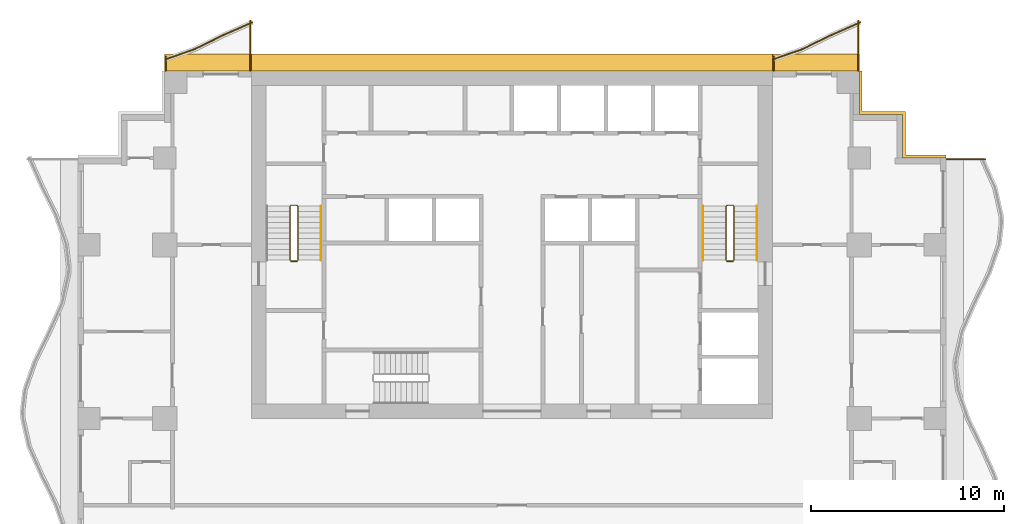
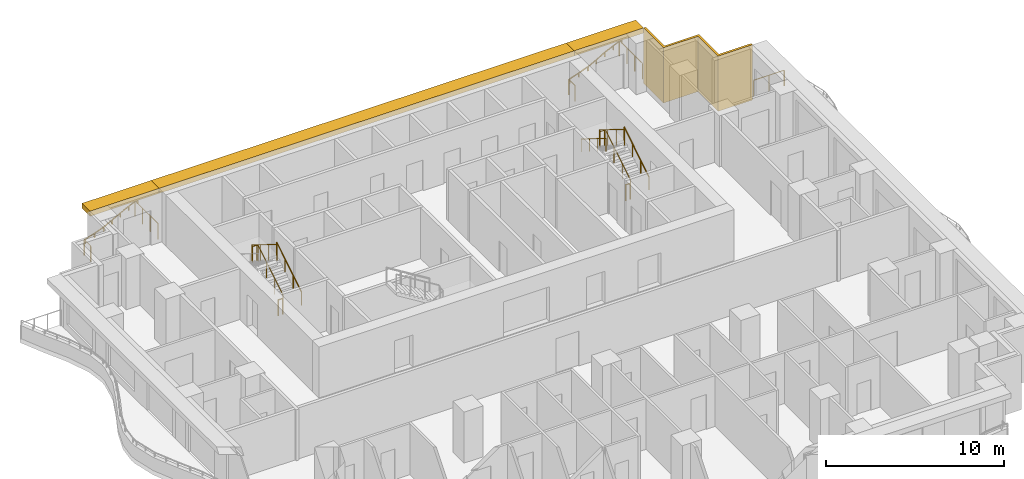
# One storey, part 10 of 10: 14 railings, 4 shading devices.
"""IFC4 building model written with IfcOpenShell, lengths in metres."""

from ifc_helpers import new_model, si_unit, direction, frame, origin, origin_2d, place, context, subcontext, project, spatial, polyline, rectangle, circle, outline, extrude, material, layer, layer_set, type_object, element, save


model = new_model("IFC4")

# Units and contexts
model_context = context("Model", 3, precision=1e-05, world=origin(), true_north=direction((0.0, 1.0)))
body_context = subcontext(model_context, "Body", "Model", "MODEL_VIEW")
ifc_project = project(units=[si_unit("LENGTHUNIT", "METRE"), si_unit("AREAUNIT", "SQUARE_METRE"), si_unit("VOLUMEUNIT", "CUBIC_METRE"), si_unit("PLANEANGLEUNIT", "RADIAN"), si_unit("MASSUNIT", "GRAM", prefix="KILO")], contexts=[model_context])

# Site, building, storey
site_placement = place(None, origin())
site = spatial("IfcSite", under=ifc_project, at=site_placement, CompositionType="ELEMENT")
building_placement = place(site_placement, origin())
building = spatial("IfcBuilding", under=site, at=building_placement, Name="Orbiselva Terraces", CompositionType="ELEMENT")
storey_placement = place(building_placement, frame((0.0, 0.0, 155.4)))
storey = spatial("IfcBuildingStorey", under=building, at=storey_placement, Name="L39", CompositionType="ELEMENT", Elevation=155.4)

# Railings
ifc_material_1 = material(Name="Stainless steel", Category="steel")
railing_type_1 = type_object("IfcRailingType", Name="CORE-GUARD-1100", PredefinedType="GUARDRAIL", material=ifc_material_1)
railing_1_placement = place(storey_placement, frame((-11.1, 12.7, 0.172727)))
element("IfcRailing", 1, at=railing_1_placement, inside=storey, type_object=railing_type_1, Name="L39 S1 stair guard 1", PredefinedType="GUARDRAIL", context=body_context, shape_type="SweptSolid", body=[
    extrude(circle(Radius=0.024, at=origin_2d()), frame((0.0, 0.0, 1.081), z_axis=(0.0, 0.851088519012, 0.52502222125), x_axis=(-1.0, 0.0, 0.0)), (0.0, 0.0, 1.0), 3.289905),
    extrude(circle(Radius=0.024, at=origin_2d()), frame((0.0, 2.8, 2.808273), z_axis=(-0.707106781187, 0.707106781187, 0.0), x_axis=(-0.707106781187, -0.707106781187, 0.0)), (0.0, 0.0, 1.0), 0.070711),
    extrude(circle(Radius=0.024, at=origin_2d()), frame((-0.05, 2.85, 2.808273), z_axis=(-1.0, 0.0, 0.0), x_axis=(0.0, -1.0, 0.0)), (0.0, 0.0, 1.0), 0.3),
    extrude(circle(Radius=0.024, at=origin_2d()), frame((-0.35, 2.85, 2.808273), z_axis=(-0.267894925557, -0.267894925557, 0.925453736133), x_axis=(0.707106781187, -0.707106781187, 0.0)), (0.0, 0.0, 1.0), 0.18664),
    extrude(circle(Radius=0.024, at=origin_2d()), frame((-0.4, 2.8, 2.981), z_axis=(0.0, -0.851088519012, 0.52502222125), x_axis=(1.0, 0.0, 0.0)), (0.0, 0.0, 1.0), 3.289905),
    extrude(circle(Radius=0.021, at=origin_2d()), origin(), (0.0, 0.0, 1.0), 1.057),
    extrude(circle(Radius=0.021, at=origin_2d()), frame((0.0, 0.933333, 0.575758)), (0.0, 0.0, 1.0), 1.057),
    extrude(circle(Radius=0.021, at=origin_2d()), frame((0.0, 1.866667, 1.151515)), (0.0, 0.0, 1.0), 1.057),
    extrude(circle(Radius=0.021, at=origin_2d()), frame((0.0, 2.8, 1.727273)), (0.0, 0.0, 1.0), 1.057),
    extrude(circle(Radius=0.021, at=origin_2d()), frame((-0.05, 2.85, 1.727273)), (0.0, 0.0, 1.0), 1.057),
    extrude(circle(Radius=0.021, at=origin_2d()), frame((-0.35, 2.85, 1.727273)), (0.0, 0.0, 1.0), 1.057),
    extrude(circle(Radius=0.021, at=origin_2d()), frame((-0.4, 2.8, 1.9)), (0.0, 0.0, 1.0), 1.057),
    extrude(circle(Radius=0.021, at=origin_2d()), frame((-0.4, 1.866667, 2.475758)), (0.0, 0.0, 1.0), 1.057),
    extrude(circle(Radius=0.021, at=origin_2d()), frame((-0.4, 0.933333, 3.051515)), (0.0, 0.0, 1.0), 1.057),
    extrude(circle(Radius=0.021, at=origin_2d()), frame((-0.4, 0.0, 3.627273)), (0.0, 0.0, 1.0), 1.057),
])
railing_2_placement = place(storey_placement, frame((-11.15, 12.65, 0.0)))
element("IfcRailing", 2, at=railing_2_placement, inside=storey, type_object=railing_type_1, Name="L39 S1 stair guard 2", PredefinedType="GUARDRAIL", context=body_context, shape_type="SweptSolid", body=[
    extrude(circle(Radius=0.024, at=origin_2d()), frame((0.0, 0.0, 1.081), z_axis=(-1.0, 0.0, 0.0), x_axis=(0.0, -1.0, 0.0)), (0.0, 0.0, 1.0), 0.3),
    extrude(circle(Radius=0.021, at=origin_2d()), origin(), (0.0, 0.0, 1.0), 1.057),
    extrude(circle(Radius=0.021, at=origin_2d()), frame((-0.3, 0.0, 0.0)), (0.0, 0.0, 1.0), 1.057),
])
railing_3_placement = place(storey_placement, frame((11.5, 12.7, 0.172727)))
element("IfcRailing", 3, at=railing_3_placement, inside=storey, type_object=railing_type_1, Name="L39 S2 stair guard 1", PredefinedType="GUARDRAIL", context=body_context, shape_type="SweptSolid", body=[
    extrude(circle(Radius=0.024, at=origin_2d()), frame((0.0, 0.0, 1.081), z_axis=(0.0, 0.851088519012, 0.52502222125), x_axis=(-1.0, 0.0, 0.0)), (0.0, 0.0, 1.0), 3.289905),
    extrude(circle(Radius=0.024, at=origin_2d()), frame((0.0, 2.8, 2.808273), z_axis=(-0.707106781187, 0.707106781187, 0.0), x_axis=(-0.707106781187, -0.707106781187, 0.0)), (0.0, 0.0, 1.0), 0.070711),
    extrude(circle(Radius=0.024, at=origin_2d()), frame((-0.05, 2.85, 2.808273), z_axis=(-1.0, 0.0, 0.0), x_axis=(0.0, -1.0, 0.0)), (0.0, 0.0, 1.0), 0.3),
    extrude(circle(Radius=0.024, at=origin_2d()), frame((-0.35, 2.85, 2.808273), z_axis=(-0.267894925557, -0.267894925557, 0.925453736133), x_axis=(0.707106781187, -0.707106781187, 0.0)), (0.0, 0.0, 1.0), 0.18664),
    extrude(circle(Radius=0.024, at=origin_2d()), frame((-0.4, 2.8, 2.981), z_axis=(0.0, -0.851088519012, 0.52502222125), x_axis=(1.0, 0.0, 0.0)), (0.0, 0.0, 1.0), 3.289905),
    extrude(circle(Radius=0.021, at=origin_2d()), origin(), (0.0, 0.0, 1.0), 1.057),
    extrude(circle(Radius=0.021, at=origin_2d()), frame((0.0, 0.933333, 0.575758)), (0.0, 0.0, 1.0), 1.057),
    extrude(circle(Radius=0.021, at=origin_2d()), frame((0.0, 1.866667, 1.151515)), (0.0, 0.0, 1.0), 1.057),
    extrude(circle(Radius=0.021, at=origin_2d()), frame((0.0, 2.8, 1.727273)), (0.0, 0.0, 1.0), 1.057),
    extrude(circle(Radius=0.021, at=origin_2d()), frame((-0.05, 2.85, 1.727273)), (0.0, 0.0, 1.0), 1.057),
    extrude(circle(Radius=0.021, at=origin_2d()), frame((-0.35, 2.85, 1.727273)), (0.0, 0.0, 1.0), 1.057),
    extrude(circle(Radius=0.021, at=origin_2d()), frame((-0.4, 2.8, 1.9)), (0.0, 0.0, 1.0), 1.057),
    extrude(circle(Radius=0.021, at=origin_2d()), frame((-0.4, 1.866667, 2.475758)), (0.0, 0.0, 1.0), 1.057),
    extrude(circle(Radius=0.021, at=origin_2d()), frame((-0.4, 0.933333, 3.051515)), (0.0, 0.0, 1.0), 1.057),
    extrude(circle(Radius=0.021, at=origin_2d()), frame((-0.4, 0.0, 3.627273)), (0.0, 0.0, 1.0), 1.057),
])
railing_4_placement = place(storey_placement, frame((11.45, 12.65, 0.0)))
element("IfcRailing", 4, at=railing_4_placement, inside=storey, type_object=railing_type_1, Name="L39 S2 stair guard 2", PredefinedType="GUARDRAIL", context=body_context, shape_type="SweptSolid", body=[
    extrude(circle(Radius=0.024, at=origin_2d()), frame((0.0, 0.0, 1.081), z_axis=(-1.0, 0.0, 0.0), x_axis=(0.0, -1.0, 0.0)), (0.0, 0.0, 1.0), 0.3),
    extrude(circle(Radius=0.021, at=origin_2d()), origin(), (0.0, 0.0, 1.0), 1.057),
    extrude(circle(Radius=0.021, at=origin_2d()), frame((-0.3, 0.0, 0.0)), (0.0, 0.0, 1.0), 1.057),
])
railing_type_2 = type_object("IfcRailingType", Name="CORE-HANDRAIL-900", PredefinedType="HANDRAIL", material=ifc_material_1)
for number, where, name in (
    (5, (-9.9, 12.7, 0.172727), "L39 S1 stair handrail 1"),
    (6, (12.7, 12.7, 0.172727), "L39 S2 stair handrail 1"),
):
    element("IfcRailing", number, at=place(storey_placement, frame(where)), inside=storey, type_object=railing_type_2, Name=name, PredefinedType="HANDRAIL", context=body_context, shape_type="SweptSolid", body=[
        extrude(circle(Radius=0.024, at=origin_2d()), frame((0.0, 0.0, 0.876), z_axis=(0.0, 0.851088519012, 0.52502222125), x_axis=(-1.0, 0.0, 0.0)), (0.0, 0.0, 1.0), 3.289905),
        extrude(circle(Radius=0.021, at=origin_2d()), origin(), (0.0, 0.0, 1.0), 0.852),
        extrude(circle(Radius=0.021, at=origin_2d()), frame((0.0, 0.933333, 0.575758)), (0.0, 0.0, 1.0), 0.852),
        extrude(circle(Radius=0.021, at=origin_2d()), frame((0.0, 1.866667, 1.151515)), (0.0, 0.0, 1.0), 0.852),
        extrude(circle(Radius=0.021, at=origin_2d()), frame((0.0, 2.8, 1.727273)), (0.0, 0.0, 1.0), 0.852),
    ])
railing_5_placement = place(storey_placement, frame((9.9, 15.5, 2.072727)))
element("IfcRailing", 7, at=railing_5_placement, inside=storey, type_object=railing_type_2, Name="L39 S2 stair handrail 2", PredefinedType="HANDRAIL", context=body_context, shape_type="SweptSolid", body=[
    extrude(circle(Radius=0.024, at=origin_2d()), frame((0.0, 0.0, 0.876), z_axis=(0.0, -0.851088519012, 0.52502222125), x_axis=(1.0, 0.0, 0.0)), (0.0, 0.0, 1.0), 3.289905),
    extrude(circle(Radius=0.021, at=origin_2d()), origin(), (0.0, 0.0, 1.0), 0.852),
    extrude(circle(Radius=0.021, at=origin_2d()), frame((0.0, -0.933333, 0.575758)), (0.0, 0.0, 1.0), 0.852),
    extrude(circle(Radius=0.021, at=origin_2d()), frame((0.0, -1.866667, 1.151515)), (0.0, 0.0, 1.0), 0.852),
    extrude(circle(Radius=0.021, at=origin_2d()), frame((0.0, -2.8, 1.727273)), (0.0, 0.0, 1.0), 0.852),
])
ifc_material_2 = material(Name="Bonded two-ply safety glass balustrade, stainless steel posts", Category="steel")
railing_type_3 = type_object("IfcRailingType", Name="ENV-BALUSTRADE-1200", PredefinedType="BALUSTRADE", material=ifc_material_2)
railing_6_placement = place(storey_placement, frame((18.050394, 25.034136, 0.9)))
element("IfcRailing", 8, at=railing_6_placement, inside=storey, type_object=railing_type_3, Name="Balcony balustrade L39 NE", PredefinedType="BALUSTRADE", context=body_context, shape_type="SweptSolid", body=[
    extrude(outline(polyline([(0.028868, 0.0), (0.014434, 0.025), (-0.014434, 0.025), (-0.028868, 0.0), (-0.014434, -0.025), (0.014434, -0.025), (0.028868, 0.0)])), frame((0.0, 0.0, 0.275), z_axis=(-0.915133498047, -0.403150940408, 0.0), x_axis=(0.403150940408, -0.915133498047, 0.0)), (0.0, 0.0, 1.0), 1.636648),
    extrude(outline(polyline([(0.028868, 0.0), (0.014434, 0.025), (-0.014434, 0.025), (-0.028868, 0.0), (-0.014434, -0.025), (0.014434, -0.025), (0.028868, 0.0)])), frame((-1.497751, -0.659816, 0.275), z_axis=(-0.898578870221, -0.438812048596, 0.0), x_axis=(0.438812048596, -0.898578870221, 0.0)), (0.0, 0.0, 1.0), 1.674225),
    extrude(outline(polyline([(0.028868, 0.0), (0.014434, 0.025), (-0.014434, 0.025), (-0.028868, 0.0), (-0.014434, -0.025), (0.014434, -0.025), (0.028868, 0.0)])), frame((-3.002174, -1.394486, 0.275), z_axis=(-0.943972257161, -0.330024813779, 0.0), x_axis=(0.330024813779, -0.943972257161, 0.0)), (0.0, 0.0, 1.0), 1.59641),
    extrude(rectangle(XDim=0.05, YDim=0.05, at=origin_2d()), origin(), (0.0, 0.0, 1.0), 0.25),
    extrude(rectangle(XDim=0.05, YDim=0.05, at=origin_2d()), frame((-0.748876, -0.329908, 0.0)), (0.0, 0.0, 1.0), 0.25),
    extrude(rectangle(XDim=0.05, YDim=0.05, at=origin_2d()), frame((-1.497751, -0.659816, 0.0)), (0.0, 0.0, 1.0), 0.25),
    extrude(rectangle(XDim=0.05, YDim=0.05, at=origin_2d()), frame((-2.249963, -1.027151, 0.0)), (0.0, 0.0, 1.0), 0.25),
    extrude(rectangle(XDim=0.05, YDim=0.05, at=origin_2d()), frame((-3.002174, -1.394486, 0.0)), (0.0, 0.0, 1.0), 0.25),
    extrude(rectangle(XDim=0.05, YDim=0.05, at=origin_2d()), frame((-3.755658, -1.657914, 0.0)), (0.0, 0.0, 1.0), 0.25),
    extrude(rectangle(XDim=0.05, YDim=0.05, at=origin_2d()), frame((-4.509141, -1.921341, 0.0)), (0.0, 0.0, 1.0), 0.25),
])
railing_7_placement = place(storey_placement, frame((-13.449606, 25.034136, 0.9)))
element("IfcRailing", 9, at=railing_7_placement, inside=storey, type_object=railing_type_3, Name="Balcony balustrade L39 NW", PredefinedType="BALUSTRADE", context=body_context, shape_type="SweptSolid", body=[
    extrude(outline(polyline([(0.028868, 0.0), (0.014434, 0.025), (-0.014434, 0.025), (-0.028868, 0.0), (-0.014434, -0.025), (0.014434, -0.025), (0.028868, 0.0)])), frame((0.0, 0.0, 0.275), z_axis=(-0.915133498047, -0.403150940408, 0.0), x_axis=(0.403150940408, -0.915133498047, 0.0)), (0.0, 0.0, 1.0), 1.636648),
    extrude(outline(polyline([(0.028868, 0.0), (0.014434, 0.025), (-0.014434, 0.025), (-0.028868, 0.0), (-0.014434, -0.025), (0.014434, -0.025), (0.028868, 0.0)])), frame((-1.497751, -0.659816, 0.275), z_axis=(-0.898578870221, -0.438812048596, 0.0), x_axis=(0.438812048596, -0.898578870221, 0.0)), (0.0, 0.0, 1.0), 1.674225),
    extrude(outline(polyline([(0.028868, 0.0), (0.014434, 0.025), (-0.014434, 0.025), (-0.028868, 0.0), (-0.014434, -0.025), (0.014434, -0.025), (0.028868, 0.0)])), frame((-3.002174, -1.394486, 0.275), z_axis=(-0.943972257161, -0.330024813779, 0.0), x_axis=(0.330024813779, -0.943972257161, 0.0)), (0.0, 0.0, 1.0), 1.59641),
    extrude(rectangle(XDim=0.05, YDim=0.05, at=origin_2d()), origin(), (0.0, 0.0, 1.0), 0.25),
    extrude(rectangle(XDim=0.05, YDim=0.05, at=origin_2d()), frame((-0.748876, -0.329908, 0.0)), (0.0, 0.0, 1.0), 0.25),
    extrude(rectangle(XDim=0.05, YDim=0.05, at=origin_2d()), frame((-1.497751, -0.659816, 0.0)), (0.0, 0.0, 1.0), 0.25),
    extrude(rectangle(XDim=0.05, YDim=0.05, at=origin_2d()), frame((-2.249963, -1.027151, 0.0)), (0.0, 0.0, 1.0), 0.25),
    extrude(rectangle(XDim=0.05, YDim=0.05, at=origin_2d()), frame((-3.002174, -1.394486, 0.0)), (0.0, 0.0, 1.0), 0.25),
    extrude(rectangle(XDim=0.05, YDim=0.05, at=origin_2d()), frame((-3.755658, -1.657914, 0.0)), (0.0, 0.0, 1.0), 0.25),
    extrude(rectangle(XDim=0.05, YDim=0.05, at=origin_2d()), frame((-4.509141, -1.921341, 0.0)), (0.0, 0.0, 1.0), 0.25),
])
ifc_material_3 = material(Name="Stainless steel rail and posts", Category="steel")
railing_type_4 = type_object("IfcRailingType", Name="ENV-GUARD-1105", PredefinedType="BALUSTRADE", material=ifc_material_3)
railing_8_placement = place(storey_placement, frame((24.517447, 17.94, 0.0)))
element("IfcRailing", 10, at=railing_8_placement, inside=storey, type_object=railing_type_4, Name="Balcony end guard L39 E", PredefinedType="BALUSTRADE", context=body_context, shape_type="SweptSolid", body=[
    extrude(outline(polyline([(0.028868, 0.0), (0.014434, 0.025), (-0.014434, 0.025), (-0.028868, 0.0), (-0.014434, -0.025), (0.014434, -0.025), (0.028868, 0.0)])), frame((0.0, 0.0, 1.08), z_axis=(-1.0, 0.0, 0.0), x_axis=(0.0, -1.0, 0.0)), (0.0, 0.0, 1.0), 1.992447),
    extrude(rectangle(XDim=0.05, YDim=0.05, at=origin_2d()), origin(), (0.0, 0.0, 1.0), 1.055),
    extrude(rectangle(XDim=0.05, YDim=0.05, at=origin_2d()), frame((-0.996224, 0.0, 0.0)), (0.0, 0.0, 1.0), 1.055),
    extrude(rectangle(XDim=0.05, YDim=0.05, at=origin_2d()), frame((-1.992447, 0.0, 0.0)), (0.0, 0.0, 1.0), 1.055),
])
railing_9_placement = place(storey_placement, frame((17.94, 25.126937, 0.0)))
element("IfcRailing", 11, at=railing_9_placement, inside=storey, type_object=railing_type_4, Name="Balcony end guard L39 NE", PredefinedType="BALUSTRADE", context=body_context, shape_type="SweptSolid", body=[
    extrude(outline(polyline([(0.028868, 0.0), (0.014434, 0.025), (-0.014434, 0.025), (-0.028868, 0.0), (-0.014434, -0.025), (0.014434, -0.025), (0.028868, 0.0)])), frame((0.0, 0.0, 1.08), z_axis=(0.0, -1.0, 0.0), x_axis=(1.0, 0.0, 0.0)), (0.0, 0.0, 1.0), 2.601937),
    extrude(rectangle(XDim=0.05, YDim=0.05, at=origin_2d()), origin(), (0.0, 0.0, 1.0), 1.055),
    extrude(rectangle(XDim=0.05, YDim=0.05, at=origin_2d()), frame((0.0, -0.867312, 0.0)), (0.0, 0.0, 1.0), 1.055),
    extrude(rectangle(XDim=0.05, YDim=0.05, at=origin_2d()), frame((0.0, -1.734625, 0.0)), (0.0, 0.0, 1.0), 1.055),
    extrude(rectangle(XDim=0.05, YDim=0.05, at=origin_2d()), frame((0.0, -2.601937, 0.0)), (0.0, 0.0, 1.0), 1.055),
])
railing_10_placement = place(storey_placement, frame((13.56, 23.24482, 0.0)))
element("IfcRailing", 12, at=railing_10_placement, inside=storey, type_object=railing_type_4, Name="Balcony end guard L39 NE", PredefinedType="BALUSTRADE", context=body_context, shape_type="SweptSolid", body=[
    extrude(outline(polyline([(0.028868, 0.0), (0.014434, 0.025), (-0.014434, 0.025), (-0.028868, 0.0), (-0.014434, -0.025), (0.014434, -0.025), (0.028868, 0.0)])), frame((0.0, 0.0, 1.08), z_axis=(0.0, -1.0, 0.0), x_axis=(1.0, 0.0, 0.0)), (0.0, 0.0, 1.0), 0.71982),
    extrude(rectangle(XDim=0.05, YDim=0.05, at=origin_2d()), origin(), (0.0, 0.0, 1.0), 1.055),
    extrude(rectangle(XDim=0.05, YDim=0.05, at=origin_2d()), frame((0.0, -0.71982, 0.0)), (0.0, 0.0, 1.0), 1.055),
])
railing_11_placement = place(storey_placement, frame((-13.56, 25.126937, 0.0)))
element("IfcRailing", 13, at=railing_11_placement, inside=storey, type_object=railing_type_4, Name="Balcony end guard L39 NW", PredefinedType="BALUSTRADE", context=body_context, shape_type="SweptSolid", body=[
    extrude(outline(polyline([(0.028868, 0.0), (0.014434, 0.025), (-0.014434, 0.025), (-0.028868, 0.0), (-0.014434, -0.025), (0.014434, -0.025), (0.028868, 0.0)])), frame((0.0, 0.0, 1.08), z_axis=(0.0, -1.0, 0.0), x_axis=(1.0, 0.0, 0.0)), (0.0, 0.0, 1.0), 2.601937),
    extrude(rectangle(XDim=0.05, YDim=0.05, at=origin_2d()), origin(), (0.0, 0.0, 1.0), 1.055),
    extrude(rectangle(XDim=0.05, YDim=0.05, at=origin_2d()), frame((0.0, -0.867312, 0.0)), (0.0, 0.0, 1.0), 1.055),
    extrude(rectangle(XDim=0.05, YDim=0.05, at=origin_2d()), frame((0.0, -1.734625, 0.0)), (0.0, 0.0, 1.0), 1.055),
    extrude(rectangle(XDim=0.05, YDim=0.05, at=origin_2d()), frame((0.0, -2.601937, 0.0)), (0.0, 0.0, 1.0), 1.055),
])
railing_12_placement = place(storey_placement, frame((-17.94, 23.24482, 0.0)))
element("IfcRailing", 14, at=railing_12_placement, inside=storey, type_object=railing_type_4, Name="Balcony end guard L39 NW", PredefinedType="BALUSTRADE", context=body_context, shape_type="SweptSolid", body=[
    extrude(outline(polyline([(0.028868, 0.0), (0.014434, 0.025), (-0.014434, 0.025), (-0.028868, 0.0), (-0.014434, -0.025), (0.014434, -0.025), (0.028868, 0.0)])), frame((0.0, 0.0, 1.08), z_axis=(0.0, -1.0, 0.0), x_axis=(1.0, 0.0, 0.0)), (0.0, 0.0, 1.0), 0.71982),
    extrude(rectangle(XDim=0.05, YDim=0.05, at=origin_2d()), origin(), (0.0, 0.0, 1.0), 1.055),
    extrude(rectangle(XDim=0.05, YDim=0.05, at=origin_2d()), frame((0.0, -0.71982, 0.0)), (0.0, 0.0, 1.0), 1.055),
])

# Shading devices
ifc_material_4 = material(Name="Terracotta louvre screen", Category="masonry")
ifc_layer_1 = layer(ifc_material_4, 0.15)
ifc_layer_set_1 = layer_set([ifc_layer_1], Name="Terracotta louvre screen")
shading_device_type_1 = type_object("IfcShadingDeviceType", Name="ENV-SCREEN-150", PredefinedType="USERDEFINED", material=ifc_layer_set_1)
shading_device_1_placement = place(storey_placement, frame((0.0, 0.0, -0.3)))
element("IfcShadingDevice", 15, at=shading_device_1_placement, inside=storey, type_object=shading_device_type_1, Name="Louvre screen L39 NE", ObjectType="SCREEN", PredefinedType="USERDEFINED", context=body_context, shape_type="SweptSolid", body=[
    extrude(outline(polyline([(22.5, 18.15), (20.4, 18.15), (20.4, 20.4), (18.15, 20.4), (18.15, 22.5), (18.0, 22.5), (18.0, 20.25), (20.25, 20.25), (20.25, 18.0), (22.5, 18.0), (22.5, 18.15)])), origin(), (0.0, 0.0, 1.0), 3.8),
])
ifc_material_5 = material(Name="Terracotta baguette sunshade", Category="masonry")
ifc_layer_2 = layer(ifc_material_5, 0.35)
ifc_layer_set_2 = layer_set([ifc_layer_2], Name="Terracotta baguette sunshade")
shading_device_type_2 = type_object("IfcShadingDeviceType", Name="ENV-SUNSHADE-900x350", PredefinedType="USERDEFINED", material=ifc_layer_set_2)
shading_device_2_placement = place(storey_placement, frame((0.0, 0.0, 3.15)))
element("IfcShadingDevice", 16, at=shading_device_2_placement, inside=storey, type_object=shading_device_type_2, Name="Sunshade band L39 NE", ObjectType="SUNSHADE", PredefinedType="USERDEFINED", context=body_context, shape_type="SweptSolid", body=[
    extrude(outline(polyline([(18.0, 23.4), (13.5, 23.4), (13.5, 22.5), (18.0, 22.5), (18.0, 23.4)])), origin(), (0.0, 0.0, 1.0), 0.35),
])
shading_device_3_placement = place(storey_placement, frame((0.0, 0.0, 3.15)))
element("IfcShadingDevice", 17, at=shading_device_3_placement, inside=storey, type_object=shading_device_type_2, Name="Sunshade band L39 CORE NORTH", ObjectType="SUNSHADE", PredefinedType="USERDEFINED", context=body_context, shape_type="SweptSolid", body=[
    extrude(outline(polyline([(13.5, 23.4), (-13.5, 23.4), (-13.5, 22.5), (13.5, 22.5), (13.5, 23.4)])), origin(), (0.0, 0.0, 1.0), 0.35),
])
shading_device_4_placement = place(storey_placement, frame((0.0, 0.0, 3.15)))
element("IfcShadingDevice", 18, at=shading_device_4_placement, inside=storey, type_object=shading_device_type_2, Name="Sunshade band L39 NW", ObjectType="SUNSHADE", PredefinedType="USERDEFINED", context=body_context, shape_type="SweptSolid", body=[
    extrude(outline(polyline([(-13.5, 23.4), (-18.0, 23.4), (-18.0, 22.5), (-13.5, 22.5), (-13.5, 23.4)])), origin(), (0.0, 0.0, 1.0), 0.35),
])

save(model, "model.ifc")
